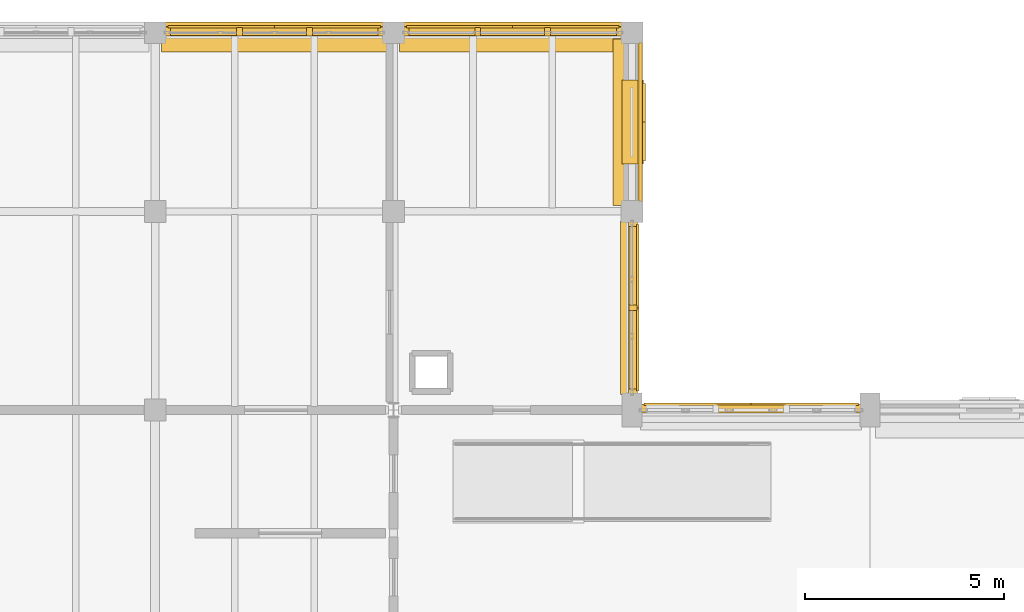
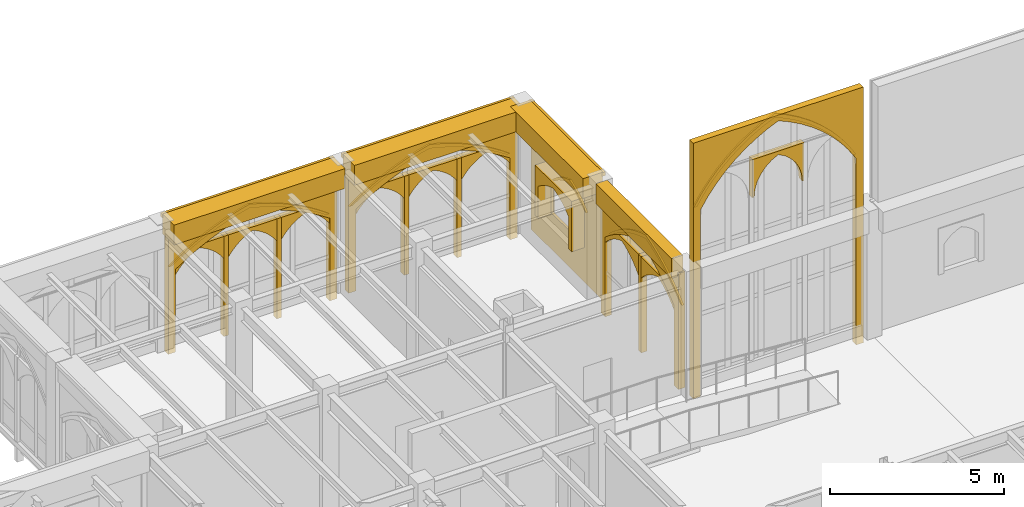
# One storey, part 95 of 108: 32 coverings.
"""IFC4 building model written with IfcOpenShell, lengths in metres."""

from ifc_helpers import new_model, si_unit, direction, frame, origin, origin_2d, place, context, subcontext, project, spatial, polyline, rectangle, outline, extrude, material, type_object, element, save


model = new_model("IFC4")

# Units and contexts
model_context = context("Model", 3, precision=1e-05, world=origin(), true_north=direction((0.0, 1.0)))
body_context = subcontext(model_context, "Body", "Model", "MODEL_VIEW")
ifc_project = project(units=[si_unit("LENGTHUNIT", "METRE"), si_unit("AREAUNIT", "SQUARE_METRE"), si_unit("VOLUMEUNIT", "CUBIC_METRE"), si_unit("PLANEANGLEUNIT", "RADIAN"), si_unit("MASSUNIT", "GRAM", prefix="KILO")], contexts=[model_context])

# Site, building, storey
site_placement = place(None, origin())
site = spatial("IfcSite", under=ifc_project, at=site_placement, CompositionType="ELEMENT")
building_placement = place(site_placement, origin())
building = spatial("IfcBuilding", under=site, at=building_placement, Name="Cumevento Cable Car Station", CompositionType="ELEMENT")
storey_placement = place(building_placement, frame((0.0, 0.0, 13.5)))
storey = spatial("IfcBuildingStorey", under=building, at=storey_placement, Name="L04", CompositionType="ELEMENT", Elevation=13.5)

# Coverings
ifc_material = material(Name="Gnaisse Facoidal Stone Ashlar 85 MPa", Category="masonry")
covering_type = type_object("IfcCoveringType", Name="Gnaisse Ashlar Cladding CV-CL01", PredefinedType="CLADDING", material=ifc_material)
covering_1_placement = place(storey_placement, frame((61.0, 65.85009765625, 3.783203125), z_axis=(0.0, 0.0, 1.0), x_axis=(1.0, 0.0, 0.0)))
element("IfcCovering", 1, at=covering_1_placement, inside=storey, type_object=covering_type, Name="Gothic Stone Spandrel Stringcourse sc:0745", PredefinedType="CLADDING", context=body_context, shape_type="SweptSolid", body=[
    extrude(rectangle(XDim=5.68994140625, YDim=0.659912109375, at=origin_2d()), origin(), (0.0, 0.0, 1.0), 0.697021484375),
])
covering_2_placement = place(storey_placement, frame((61.0, 66.20751953125, 4.35009765625), z_axis=(0.0, 0.0, 1.0), x_axis=(1.0, 0.0, 0.0)))
element("IfcCovering", 2, at=covering_2_placement, inside=storey, type_object=covering_type, Name="Gothic Cornice Dripstone Lip sc:0745", PredefinedType="CLADDING", context=body_context, shape_type="SweptSolid", body=[
    extrude(rectangle(XDim=5.72998046875, YDim=0.114990234375, at=origin_2d()), origin(), (0.0, 0.0, 1.0), 0.1298828125),
])
covering_3_placement = place(storey_placement, frame((67.0, 65.85009765625, 3.783203125), z_axis=(0.0, 0.0, 1.0), x_axis=(1.0, 0.0, 0.0)))
element("IfcCovering", 3, at=covering_3_placement, inside=storey, type_object=covering_type, Name="Gothic Stone Spandrel Stringcourse sc:0746", PredefinedType="CLADDING", context=body_context, shape_type="SweptSolid", body=[
    extrude(rectangle(XDim=5.68994140625, YDim=0.659912109375, at=origin_2d()), origin(), (0.0, 0.0, 1.0), 0.697021484375),
])
covering_4_placement = place(storey_placement, frame((67.0, 66.20751953125, 4.35009765625), z_axis=(0.0, 0.0, 1.0), x_axis=(1.0, 0.0, 0.0)))
element("IfcCovering", 4, at=covering_4_placement, inside=storey, type_object=covering_type, Name="Gothic Cornice Dripstone Lip sc:0746", PredefinedType="CLADDING", context=body_context, shape_type="SweptSolid", body=[
    extrude(rectangle(XDim=5.72998046875, YDim=0.114990234375, at=origin_2d()), origin(), (0.0, 0.0, 1.0), 0.1298828125),
])
covering_5_placement = place(storey_placement, frame((69.909912109375, 59.074951171875, 3.783203125), z_axis=(0.0, 0.0, 1.0), x_axis=(0.0, -1.0, 0.0)))
element("IfcCovering", 5, at=covering_5_placement, inside=storey, type_object=covering_type, Name="Gothic Stone Spandrel Stringcourse sc:0749", PredefinedType="CLADDING", context=body_context, shape_type="SweptSolid", body=[
    extrude(rectangle(XDim=4.360107421875, YDim=0.3798828125, at=origin_2d()), origin(), (0.0, 0.0, 1.0), 0.697021484375),
])
covering_6_placement = place(storey_placement, frame((69.85009765625, 63.75, 3.783203125), z_axis=(0.0, 0.0, 1.0), x_axis=(0.0, -1.0, 0.0)))
element("IfcCovering", 6, at=covering_6_placement, inside=storey, type_object=covering_type, Name="Gothic Stone Spandrel Stringcourse sc:0750", PredefinedType="CLADDING", context=body_context, shape_type="SweptSolid", body=[
    extrude(rectangle(XDim=4.18994140625, YDim=0.659912109375, at=origin_2d()), origin(), (0.0, 0.0, 1.0), 0.697021484375),
])
covering_7_placement = place(storey_placement, frame((70.20751953125, 63.75, 4.35009765625), z_axis=(0.0, 0.0, 1.0), x_axis=(0.0, -1.0, 0.0)))
element("IfcCovering", 7, at=covering_7_placement, inside=storey, type_object=covering_type, Name="Gothic Cornice Dripstone Lip sc:0750", PredefinedType="CLADDING", context=body_context, shape_type="SweptSolid", body=[
    extrude(rectangle(XDim=4.22998046875, YDim=0.114990234375, at=origin_2d()), origin(), (0.0, 0.0, 1.0), 0.1298828125),
])
covering_8_placement = place(storey_placement, frame((70.25, 56.5, -0.320068359375), z_axis=(0.0, 0.0, 1.0), x_axis=(1.0, 0.0, 0.0)))
element("IfcCovering", 8, at=covering_8_placement, inside=storey, type_object=covering_type, Name="Gothic Ogival Pointed-Arch Stone Spandrel cw_ogival:0164", PredefinedType="CLADDING", context=body_context, shape_type="SweptSolid", body=[
    extrude(outline(polyline([(-0.080078125, 0.0), (-0.080078125, 8.992919921875), (5.580078125, 8.992919921875), (5.580078125, 0.0), (5.340087890625, 0.0), (5.340087890625, 6.56298828125), (5.10400390625, 6.92822265625), (4.8388671875, 7.272705078125), (4.546630859375, 7.5947265625), (4.22900390625, 7.8916015625), (3.88818359375, 8.16162109375), (3.5263671875, 8.40283203125), (3.146240234375, 8.61376953125), (2.75, 8.79296875), (2.353759765625, 8.61376953125), (1.9736328125, 8.40283203125), (1.61181640625, 8.16162109375), (1.27099609375, 7.8916015625), (0.953369140625, 7.5947265625), (0.6611328125, 7.272705078125), (0.39599609375, 6.92822265625), (0.159912109375, 6.56298828125), (0.159912109375, 0.0), (-0.080078125, 0.0)])), frame((0.0, 0.139892578125, 0.0), z_axis=(0.0, -1.0, 0.0), x_axis=(1.0, 0.0, 0.0)), (0.0, 0.0, 1.0), 0.219970703125),
])
covering_9_placement = place(storey_placement, frame((70.25, 56.5, 6.242919921875), z_axis=(0.0, 0.0, 1.0), x_axis=(1.0, 0.0, 0.0)))
element("IfcCovering", 9, at=covering_9_placement, inside=storey, type_object=covering_type, Name="Gothic Pointed Archivolt Hood Moulding cw_ogival:0164", PredefinedType="CLADDING", context=body_context, shape_type="SweptSolid", body=[
    extrude(outline(polyline([(0.159912109375, 0.0), (0.39599609375, 0.365234375), (0.6611328125, 0.709716796875), (0.953369140625, 1.03173828125), (1.27099609375, 1.32861328125), (1.61181640625, 1.5986328125), (1.9736328125, 1.83984375), (2.353759765625, 2.05078125), (2.75, 2.22998046875), (3.146240234375, 2.05078125), (3.5263671875, 1.83984375), (3.88818359375, 1.5986328125), (4.22900390625, 1.32861328125), (4.546630859375, 1.03173828125), (4.8388671875, 0.709716796875), (5.10400390625, 0.365234375), (5.340087890625, 0.0), (5.449951171875, 0.0), (5.206787109375, 0.386962890625), (4.932373046875, 0.75244140625), (4.628662109375, 1.093994140625), (4.2978515625, 1.409423828125), (3.94189453125, 1.6962890625), (3.563720703125, 1.95263671875), (3.16552734375, 2.177001953125), (2.75, 2.367431640625), (2.33447265625, 2.177001953125), (1.936279296875, 1.95263671875), (1.55810546875, 1.6962890625), (1.2021484375, 1.409423828125), (0.871337890625, 1.093994140625), (0.567626953125, 0.75244140625), (0.293212890625, 0.386962890625), (0.050048828125, 0.0), (0.159912109375, 0.0)])), frame((0.0, 0.181884765625, 0.0), z_axis=(0.0, -1.0, 0.0), x_axis=(1.0, 0.0, 0.0)), (0.0, 0.0, 1.0), 0.06689453125),
])
covering_10_placement = place(storey_placement, frame((72.15673828125, 56.5, 6.06298828125), z_axis=(0.0, 0.0, 1.0), x_axis=(1.0, 0.0, 0.0)))
element("IfcCovering", 10, at=covering_10_placement, inside=storey, type_object=covering_type, Name="Gothic Ogival Pointed-Arch Stone Spandrel cw_ogival:0164:sub:1", PredefinedType="CLADDING", context=body_context, shape_type="SweptSolid", body=[
    extrude(outline(polyline([(-0.02001953125, 0.0), (-0.02001953125, 1.339599609375), (1.706787109375, 1.339599609375), (1.706787109375, 0.0), (1.646728515625, 0.0), (1.621826171875, 0.256103515625), (1.5478515625, 0.502685546875), (1.427978515625, 0.730224609375), (1.26611328125, 0.930419921875), (1.06884765625, 1.095458984375), (0.84326171875, 1.219482421875), (0.617919921875, 1.095458984375), (0.420654296875, 0.930419921875), (0.2587890625, 0.730224609375), (0.138916015625, 0.502685546875), (0.06494140625, 0.256103515625), (0.0400390625, 0.0), (-0.02001953125, 0.0)])), frame((0.0, 0.1240234375, 0.0), z_axis=(0.0, -1.0, 0.0), x_axis=(1.0, 0.0, 0.0)), (0.0, 0.0, 1.0), 0.199951171875),
])
placement_1 = place(storey_placement, frame((58.27490234375, 66.0, -0.320068359375), z_axis=(0.0, 0.0, 1.0), x_axis=(1.0, 0.0, 0.0)))
element("IfcCovering", 11, at=placement_1, inside=storey, type_object=covering_type, Name="Gothic Ogival Pointed-Arch Stone Spandrel cw_ogival:0172", PredefinedType="CLADDING", context=body_context, shape_type="SweptSolid", body=[
    extrude(outline(polyline([(-0.080078125, 0.0), (-0.080078125, 4.242919921875), (5.530029296875, 4.242919921875), (5.530029296875, 0.0), (5.2900390625, 0.0), (5.2900390625, 2.9091796875), (4.99560546875, 3.103515625), (4.6923828125, 3.28369140625), (4.380859375, 3.448974609375), (4.06201171875, 3.599365234375), (3.736083984375, 3.734130859375), (3.404052734375, 3.853271484375), (3.06689453125, 3.956298828125), (2.72509765625, 4.04296875), (2.383056640625, 3.956298828125), (2.0458984375, 3.853271484375), (1.7138671875, 3.734130859375), (1.387939453125, 3.599365234375), (1.069091796875, 3.448974609375), (0.757568359375, 3.28369140625), (0.454345703125, 3.103515625), (0.159912109375, 2.9091796875), (0.159912109375, 0.0), (-0.080078125, 0.0)])), frame((0.0, 0.139892578125, 0.0), z_axis=(0.0, -1.0, 0.0), x_axis=(1.0, 0.0, 0.0)), (0.0, 0.0, 1.0), 0.219970703125),
])
covering_12_placement = place(storey_placement, frame((58.27490234375, 66.0, 2.589111328125), z_axis=(0.0, 0.0, 1.0), x_axis=(1.0, 0.0, 0.0)))
element("IfcCovering", 12, at=covering_12_placement, inside=storey, type_object=covering_type, Name="Gothic Pointed Archivolt Hood Moulding cw_ogival:0172", PredefinedType="CLADDING", context=body_context, shape_type="SweptSolid", body=[
    extrude(outline(polyline([(0.159912109375, 0.0), (0.454345703125, 0.1943359375), (0.757568359375, 0.37451171875), (1.069091796875, 0.539794921875), (1.387939453125, 0.690185546875), (1.7138671875, 0.824951171875), (2.0458984375, 0.944091796875), (2.383056640625, 1.047119140625), (2.72509765625, 1.1337890625), (3.06689453125, 1.047119140625), (3.404052734375, 0.944091796875), (3.736083984375, 0.824951171875), (4.06201171875, 0.690185546875), (4.380859375, 0.539794921875), (4.6923828125, 0.37451171875), (4.99560546875, 0.1943359375), (5.2900390625, 0.0), (5.39990234375, 0.0), (5.09716796875, 0.21728515625), (4.783447265625, 0.418701171875), (4.4599609375, 0.60400390625), (4.12744140625, 0.772705078125), (3.786865234375, 0.924072265625), (3.43896484375, 1.057861328125), (3.084716796875, 1.173828125), (2.72509765625, 1.271484375), (2.365234375, 1.173828125), (2.010986328125, 1.057861328125), (1.6630859375, 0.924072265625), (1.322509765625, 0.772705078125), (0.989990234375, 0.60400390625), (0.66650390625, 0.418701171875), (0.352783203125, 0.21728515625), (0.050048828125, 0.0), (0.159912109375, 0.0)])), frame((0.0, 0.181884765625, 0.0), z_axis=(0.0, -1.0, 0.0), x_axis=(1.0, 0.0, 0.0)), (0.0, 0.0, 1.0), 0.06689453125),
])
element("IfcCovering", 13, at=placement_1, inside=storey, type_object=covering_type, Name="Gothic Bifora Stone Colonnette cw_ogival:0172 #1", PredefinedType="CLADDING", context=body_context, shape_type="SweptSolid", body=[
    extrude(outline(polyline([(1.77001953125, -0.02001953125), (1.919921875, -0.02001953125), (1.919921875, 3.498779296875), (1.77001953125, 3.498779296875), (1.77001953125, -0.02001953125)])), frame((0.0, 0.1279296875, 0.0), z_axis=(0.0, -1.0, 0.0), x_axis=(1.0, 0.0, 0.0)), (0.0, 0.0, 1.0), 0.205078125),
])
element("IfcCovering", 14, at=placement_1, inside=storey, type_object=covering_type, Name="Gothic Bifora Stone Colonnette cw_ogival:0172 #2", PredefinedType="CLADDING", context=body_context, shape_type="SweptSolid", body=[
    extrude(outline(polyline([(3.530029296875, -0.02001953125), (3.679931640625, -0.02001953125), (3.679931640625, 3.498779296875), (3.530029296875, 3.498779296875), (3.530029296875, -0.02001953125)])), frame((0.0, 0.1279296875, 0.0), z_axis=(0.0, -1.0, 0.0), x_axis=(1.0, 0.0, 0.0)), (0.0, 0.0, 1.0), 0.205078125),
])
for number, where, z_axis, x_axis, name in (
    (15, (58.405029296875, 66.0, 2.4091796875), (0.0, 0.0, 1.0), (1.0, 0.0, 0.0), "Gothic Ogival Pointed-Arch Stone Spandrel cw_ogival:0172:sub:0"),
    (16, (60.1650390625, 66.0, 2.4091796875), (0.0, 0.0, 1.0), (1.0, 0.0, 0.0), "Gothic Ogival Pointed-Arch Stone Spandrel cw_ogival:0172:sub:1"),
    (17, (61.925048828125, 66.0, 2.4091796875), (0.0, 0.0, 1.0), (1.0, 0.0, 0.0), "Gothic Ogival Pointed-Arch Stone Spandrel cw_ogival:0172:sub:2"),
):
    element("IfcCovering", number, at=place(storey_placement, frame(where, z_axis=z_axis, x_axis=x_axis)), inside=storey, type_object=covering_type, Name=name, PredefinedType="CLADDING", context=body_context, shape_type="SweptSolid", body=[
        extrude(outline(polyline([(-0.02001953125, 0.0), (-0.02001953125, 0.76953125), (1.68994140625, 0.76953125), (1.68994140625, 0.0), (1.6298828125, 0.0), (1.528564453125, 0.14111328125), (1.412841796875, 0.27099609375), (1.283935546875, 0.387939453125), (1.143798828125, 0.49072265625), (0.993408203125, 0.578369140625), (0.8349609375, 0.649658203125), (0.676513671875, 0.578369140625), (0.526123046875, 0.49072265625), (0.385986328125, 0.387939453125), (0.257080078125, 0.27099609375), (0.141357421875, 0.14111328125), (0.0400390625, 0.0), (-0.02001953125, 0.0)])), frame((0.0, 0.1240234375, 0.0), z_axis=(0.0, -1.0, 0.0), x_axis=(1.0, 0.0, 0.0)), (0.0, 0.0, 1.0), 0.199951171875),
    ])
placement_2 = place(storey_placement, frame((64.27490234375, 66.0, -0.27001953125), z_axis=(0.0, 0.0, 1.0), x_axis=(1.0, 0.0, 0.0)))
element("IfcCovering", 18, at=placement_2, inside=storey, type_object=covering_type, Name="Gothic Ogival Pointed-Arch Stone Spandrel cw_ogival:0173", PredefinedType="CLADDING", context=body_context, shape_type="SweptSolid", body=[
    extrude(outline(polyline([(-0.080078125, 0.0), (-0.080078125, 4.193115234375), (5.530029296875, 4.193115234375), (5.530029296875, 0.0), (5.2900390625, 0.0), (5.2900390625, 2.877197265625), (4.994873046875, 3.068603515625), (4.691162109375, 3.245849609375), (4.37939453125, 3.40869140625), (4.060302734375, 3.556396484375), (3.734619140625, 3.689208984375), (3.40283203125, 3.806396484375), (3.066162109375, 3.90771484375), (2.72509765625, 3.9931640625), (2.3837890625, 3.90771484375), (2.047119140625, 3.806396484375), (1.71533203125, 3.689208984375), (1.3896484375, 3.556396484375), (1.070556640625, 3.40869140625), (0.7587890625, 3.245849609375), (0.455078125, 3.068603515625), (0.159912109375, 2.877197265625), (0.159912109375, 0.0), (-0.080078125, 0.0)])), frame((0.0, 0.139892578125, 0.0), z_axis=(0.0, -1.0, 0.0), x_axis=(1.0, 0.0, 0.0)), (0.0, 0.0, 1.0), 0.219970703125),
])
covering_16_placement = place(storey_placement, frame((64.27490234375, 66.0, 2.607177734375), z_axis=(0.0, 0.0, 1.0), x_axis=(1.0, 0.0, 0.0)))
element("IfcCovering", 19, at=covering_16_placement, inside=storey, type_object=covering_type, Name="Gothic Pointed Archivolt Hood Moulding cw_ogival:0173", PredefinedType="CLADDING", context=body_context, shape_type="SweptSolid", body=[
    extrude(outline(polyline([(0.159912109375, 0.0), (0.455078125, 0.19140625), (0.7587890625, 0.36865234375), (1.070556640625, 0.531494140625), (1.3896484375, 0.679443359375), (1.71533203125, 0.81201171875), (2.047119140625, 0.92919921875), (2.3837890625, 1.030517578125), (2.72509765625, 1.115966796875), (3.066162109375, 1.030517578125), (3.40283203125, 0.92919921875), (3.734619140625, 0.81201171875), (4.060302734375, 0.679443359375), (4.37939453125, 0.531494140625), (4.691162109375, 0.36865234375), (4.994873046875, 0.19140625), (5.2900390625, 0.0), (5.39990234375, 0.0), (5.09619140625, 0.21435546875), (4.781982421875, 0.4130859375), (4.458251953125, 0.595703125), (4.125732421875, 0.761962890625), (3.785400390625, 0.9111328125), (3.437744140625, 1.04296875), (3.083984375, 1.1572265625), (2.72509765625, 1.25341796875), (2.365966796875, 1.1572265625), (2.01220703125, 1.04296875), (1.66455078125, 0.9111328125), (1.32421875, 0.761962890625), (0.99169921875, 0.595703125), (0.66796875, 0.4130859375), (0.353759765625, 0.21435546875), (0.050048828125, 0.0), (0.159912109375, 0.0)])), frame((0.0, 0.181884765625, 0.0), z_axis=(0.0, -1.0, 0.0), x_axis=(1.0, 0.0, 0.0)), (0.0, 0.0, 1.0), 0.06689453125),
])
element("IfcCovering", 20, at=placement_2, inside=storey, type_object=covering_type, Name="Gothic Bifora Stone Colonnette cw_ogival:0173 #1", PredefinedType="CLADDING", context=body_context, shape_type="SweptSolid", body=[
    extrude(outline(polyline([(1.77001953125, -0.02001953125), (1.919921875, -0.02001953125), (1.919921875, 3.45751953125), (1.77001953125, 3.45751953125), (1.77001953125, -0.02001953125)])), frame((0.0, 0.1279296875, 0.0), z_axis=(0.0, -1.0, 0.0), x_axis=(1.0, 0.0, 0.0)), (0.0, 0.0, 1.0), 0.205078125),
])
element("IfcCovering", 21, at=placement_2, inside=storey, type_object=covering_type, Name="Gothic Bifora Stone Colonnette cw_ogival:0173 #2", PredefinedType="CLADDING", context=body_context, shape_type="SweptSolid", body=[
    extrude(outline(polyline([(3.530029296875, -0.02001953125), (3.679931640625, -0.02001953125), (3.679931640625, 3.45751953125), (3.530029296875, 3.45751953125), (3.530029296875, -0.02001953125)])), frame((0.0, 0.1279296875, 0.0), z_axis=(0.0, -1.0, 0.0), x_axis=(1.0, 0.0, 0.0)), (0.0, 0.0, 1.0), 0.205078125),
])
for number, where, z_axis, x_axis, name in (
    (22, (64.405029296875, 66.0, 2.427001953125), (0.0, 0.0, 1.0), (1.0, 0.0, 0.0), "Gothic Ogival Pointed-Arch Stone Spandrel cw_ogival:0173:sub:0"),
    (23, (66.1650390625, 66.0, 2.427001953125), (0.0, 0.0, 1.0), (1.0, 0.0, 0.0), "Gothic Ogival Pointed-Arch Stone Spandrel cw_ogival:0173:sub:1"),
    (24, (67.925048828125, 66.0, 2.427001953125), (0.0, 0.0, 1.0), (1.0, 0.0, 0.0), "Gothic Ogival Pointed-Arch Stone Spandrel cw_ogival:0173:sub:2"),
):
    element("IfcCovering", number, at=place(storey_placement, frame(where, z_axis=z_axis, x_axis=x_axis)), inside=storey, type_object=covering_type, Name=name, PredefinedType="CLADDING", context=body_context, shape_type="SweptSolid", body=[
        extrude(outline(polyline([(-0.02001953125, 0.0), (-0.02001953125, 0.76025390625), (1.68994140625, 0.76025390625), (1.68994140625, 0.0), (1.6298828125, 0.0), (1.527587890625, 0.139404296875), (1.41162109375, 0.267333984375), (1.28271484375, 0.382568359375), (1.142578125, 0.48388671875), (0.992919921875, 0.570068359375), (0.8349609375, 0.640380859375), (0.677001953125, 0.570068359375), (0.52734375, 0.48388671875), (0.38720703125, 0.382568359375), (0.25830078125, 0.267333984375), (0.142333984375, 0.139404296875), (0.0400390625, 0.0), (-0.02001953125, 0.0)])), frame((0.0, 0.1240234375, 0.0), z_axis=(0.0, -1.0, 0.0), x_axis=(1.0, 0.0, 0.0)), (0.0, 0.0, 1.0), 0.199951171875),
    ])
placement_3 = place(storey_placement, frame((70.0, 61.22509765625, -0.159912109375), z_axis=(0.0, 0.0, 1.0), x_axis=(0.0, -1.0, 0.0)))
element("IfcCovering", 25, at=placement_3, inside=storey, type_object=covering_type, Name="Gothic Ogival Pointed-Arch Stone Spandrel cw_ogival:0175", PredefinedType="CLADDING", context=body_context, shape_type="SweptSolid", body=[
    extrude(outline(polyline([(-0.080078125, 0.0), (-0.080078125, 4.0830078125), (4.3798828125, 4.0830078125), (4.3798828125, 0.0), (4.139892578125, 0.0), (4.139892578125, 2.806640625), (3.921142578125, 2.9892578125), (3.69189453125, 3.159423828125), (3.45361328125, 3.31591796875), (3.206787109375, 3.458740234375), (2.9521484375, 3.587158203125), (2.6904296875, 3.700927734375), (2.4228515625, 3.799560546875), (2.14990234375, 3.883056640625), (1.877197265625, 3.799560546875), (1.609619140625, 3.700927734375), (1.347900390625, 3.587158203125), (1.09326171875, 3.458740234375), (0.846435546875, 3.31591796875), (0.608154296875, 3.159423828125), (0.37890625, 2.9892578125), (0.159912109375, 2.806640625), (0.159912109375, 0.0), (-0.080078125, 0.0)])), frame((0.0, 0.139892578125, 0.0), z_axis=(0.0, -1.0, 0.0), x_axis=(1.0, 0.0, 0.0)), (0.0, 0.0, 1.0), 0.219970703125),
])
covering_20_placement = place(storey_placement, frame((70.0, 61.22509765625, 2.646728515625), z_axis=(0.0, 0.0, 1.0), x_axis=(0.0, -1.0, 0.0)))
element("IfcCovering", 26, at=covering_20_placement, inside=storey, type_object=covering_type, Name="Gothic Pointed Archivolt Hood Moulding cw_ogival:0175", PredefinedType="CLADDING", context=body_context, shape_type="SweptSolid", body=[
    extrude(outline(polyline([(0.159912109375, 0.0), (0.37890625, 0.1826171875), (0.608154296875, 0.352783203125), (0.846435546875, 0.50927734375), (1.09326171875, 0.652099609375), (1.347900390625, 0.780517578125), (1.609619140625, 0.894287109375), (1.877197265625, 0.992919921875), (2.14990234375, 1.076416015625), (2.4228515625, 0.992919921875), (2.6904296875, 0.894287109375), (2.9521484375, 0.780517578125), (3.206787109375, 0.652099609375), (3.45361328125, 0.50927734375), (3.69189453125, 0.352783203125), (3.921142578125, 0.1826171875), (4.139892578125, 0.0), (4.25, 0.0), (4.02294921875, 0.205322265625), (3.783935546875, 0.396484375), (3.533935546875, 0.572998046875), (3.273681640625, 0.734130859375), (3.004150390625, 0.879150390625), (2.726318359375, 1.0078125), (2.441162109375, 1.119384765625), (2.14990234375, 1.2138671875), (1.85888671875, 1.119384765625), (1.57373046875, 1.0078125), (1.2958984375, 0.879150390625), (1.0263671875, 0.734130859375), (0.76611328125, 0.572998046875), (0.51611328125, 0.396484375), (0.277099609375, 0.205322265625), (0.050048828125, 0.0), (0.159912109375, 0.0)])), frame((0.0, 0.181884765625, 0.0), z_axis=(0.0, -1.0, 0.0), x_axis=(1.0, 0.0, 0.0)), (0.0, 0.0, 1.0), 0.06689453125),
])
element("IfcCovering", 27, at=placement_3, inside=storey, type_object=covering_type, Name="Gothic Bifora Stone Colonnette cw_ogival:0175 #1", PredefinedType="CLADDING", context=body_context, shape_type="SweptSolid", body=[
    extrude(outline(polyline([(2.074951171875, -0.02001953125), (2.22509765625, -0.02001953125), (2.22509765625, 3.366455078125), (2.074951171875, 3.366455078125), (2.074951171875, -0.02001953125)])), frame((0.0, 0.1279296875, 0.0), z_axis=(0.0, -1.0, 0.0), x_axis=(1.0, 0.0, 0.0)), (0.0, 0.0, 1.0), 0.205078125),
])
for number, where, z_axis, x_axis, name in (
    (28, (70.0, 61.094970703125, 2.466796875), (0.0, 0.0, 1.0), (0.0, -1.0, 0.0), "Gothic Ogival Pointed-Arch Stone Spandrel cw_ogival:0175:sub:0"),
    (29, (70.0, 59.030029296875, 2.466796875), (0.0, 0.0, 1.0), (0.0, -1.0, 0.0), "Gothic Ogival Pointed-Arch Stone Spandrel cw_ogival:0175:sub:1"),
):
    element("IfcCovering", number, at=place(storey_placement, frame(where, z_axis=z_axis, x_axis=x_axis)), inside=storey, type_object=covering_type, Name=name, PredefinedType="CLADDING", context=body_context, shape_type="SweptSolid", body=[
        extrude(outline(polyline([(-0.02001953125, 0.0), (-0.02001953125, 0.73974609375), (1.9951171875, 0.73974609375), (1.9951171875, 0.0), (1.93505859375, 0.0), (1.80224609375, 0.13720703125), (1.65771484375, 0.261962890625), (1.5029296875, 0.373291015625), (1.338623046875, 0.470703125), (1.16650390625, 0.552978515625), (0.987548828125, 0.61962890625), (0.80859375, 0.552978515625), (0.636474609375, 0.470703125), (0.47216796875, 0.373291015625), (0.3173828125, 0.261962890625), (0.1728515625, 0.13720703125), (0.0400390625, 0.0), (-0.02001953125, 0.0)])), frame((0.0, 0.1240234375, 0.0), z_axis=(0.0, -1.0, 0.0), x_axis=(1.0, 0.0, 0.0)), (0.0, 0.0, 1.0), 0.199951171875),
    ])
covering_22_placement = place(storey_placement, frame((70.0, 65.72509765625, 0.0), z_axis=(0.0, 0.0, 1.0), x_axis=(0.0, -1.0, 0.0)))
element("IfcCovering", 30, at=covering_22_placement, inside=storey, type_object=covering_type, Name="Exterior Gnaisse Stone Wall Ashlar #282", PredefinedType="CLADDING", context=body_context, shape_type="SweptSolid", body=[
    extrude(outline(polyline([(-0.0400390625, -0.02001953125), (3.989990234375, -0.02001953125), (3.989990234375, 3.863037109375), (-0.0400390625, 3.863037109375), (-0.0400390625, -0.02001953125)]), holes=[polyline([(1.110107421875, 1.260009765625), (2.840087890625, 1.260009765625), (2.840087890625, 2.739990234375), (1.110107421875, 2.739990234375), (1.110107421875, 1.260009765625)])]), frame((0.0, 0.260009765625, 0.0), z_axis=(0.0, -1.0, 0.0), x_axis=(1.0, 0.0, 0.0)), (0.0, 0.0, 1.0), 0.0849609375),
])
covering_23_placement = place(storey_placement, frame((70.0, 64.764892578125, 1.199951171875), z_axis=(0.0, 0.0, 1.0), x_axis=(0.0, -1.0, 0.0)))
element("IfcCovering", 31, at=covering_23_placement, inside=storey, type_object=covering_type, Name="Gothic Ogival Pointed-Arch Stone Spandrel op_ogival:0282:1", PredefinedType="CLADDING", context=body_context, shape_type="SweptSolid", body=[
    extrude(outline(polyline([(-0.0400390625, 0.0), (-0.0400390625, 1.77001953125), (2.070068359375, 1.77001953125), (2.070068359375, 0.0), (1.889892578125, 0.0), (1.889892578125, 1.1298828125), (1.77880859375, 1.218994140625), (1.662353515625, 1.30078125), (1.540771484375, 1.375), (1.414794921875, 1.44091796875), (1.28466796875, 1.4990234375), (1.1513671875, 1.548828125), (1.014892578125, 1.590087890625), (0.878662109375, 1.548828125), (0.745361328125, 1.4990234375), (0.615234375, 1.44091796875), (0.4892578125, 1.375), (0.36767578125, 1.30078125), (0.251220703125, 1.218994140625), (0.139892578125, 1.1298828125), (0.139892578125, 0.0), (-0.0400390625, 0.0)])), frame((0.0, 0.298095703125, 0.0), z_axis=(0.0, -1.0, 0.0), x_axis=(1.0, 0.0, 0.0)), (0.0, 0.0, 1.0), 0.550048828125),
])
covering_24_placement = place(storey_placement, frame((70.0, 64.764892578125, 2.330078125), z_axis=(0.0, 0.0, 1.0), x_axis=(0.0, -1.0, 0.0)))
element("IfcCovering", 32, at=covering_24_placement, inside=storey, type_object=covering_type, Name="Gothic Pointed Archivolt Hood Moulding op_ogival:0282:1", PredefinedType="CLADDING", context=body_context, shape_type="SweptSolid", body=[
    extrude(outline(polyline([(0.139892578125, 0.0), (0.251220703125, 0.0888671875), (0.36767578125, 0.170654296875), (0.4892578125, 0.244873046875), (0.615234375, 0.31103515625), (0.745361328125, 0.369140625), (0.878662109375, 0.4189453125), (1.014892578125, 0.4599609375), (1.1513671875, 0.4189453125), (1.28466796875, 0.369140625), (1.414794921875, 0.31103515625), (1.540771484375, 0.244873046875), (1.662353515625, 0.170654296875), (1.77880859375, 0.0888671875), (1.889892578125, 0.0), (1.989013671875, 0.0), (1.869384765625, 0.112060546875), (1.7421875, 0.21533203125), (1.60791015625, 0.309326171875), (1.467529296875, 0.3935546875), (1.3212890625, 0.467529296875), (1.170166015625, 0.531005859375), (1.014892578125, 0.583740234375), (0.85986328125, 0.531005859375), (0.708740234375, 0.467529296875), (0.5625, 0.3935546875), (0.422119140625, 0.309326171875), (0.287841796875, 0.21533203125), (0.16064453125, 0.112060546875), (0.041015625, 0.0), (0.139892578125, 0.0)])), frame((0.0, 0.340087890625, 0.0), z_axis=(0.0, -1.0, 0.0), x_axis=(1.0, 0.0, 0.0)), (0.0, 0.0, 1.0), 0.06689453125),
])

save(model, "model.ifc")
